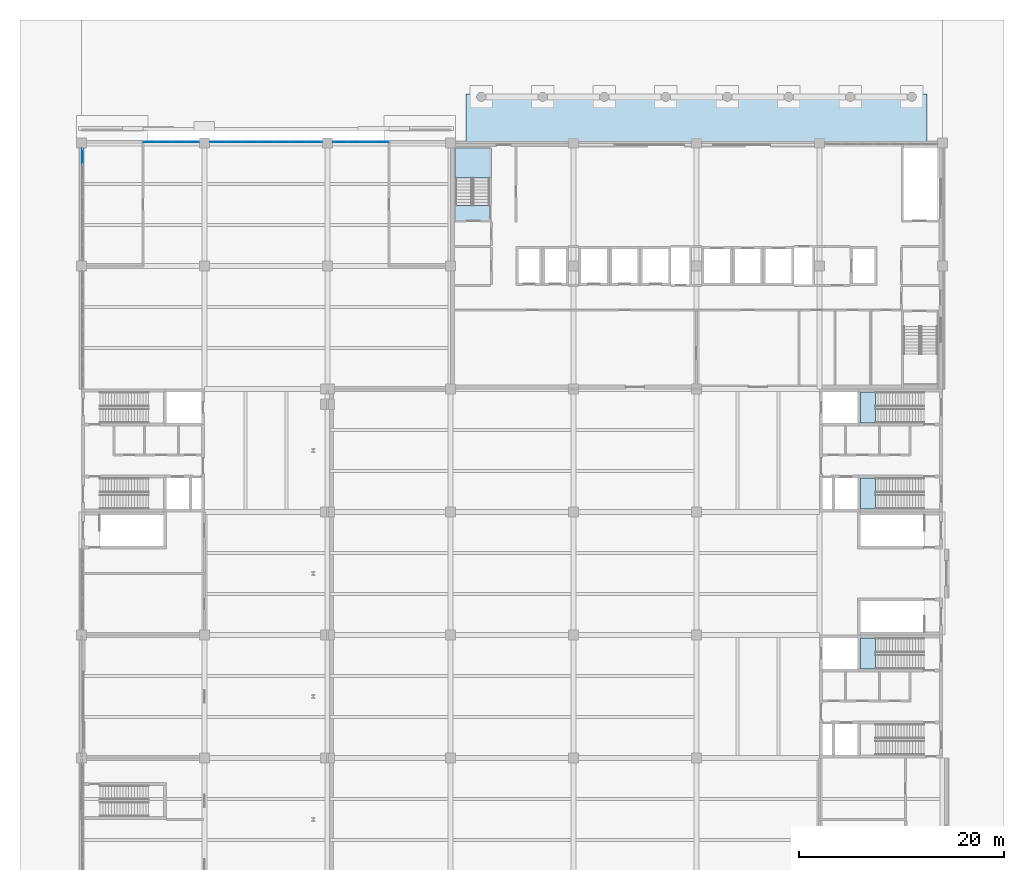
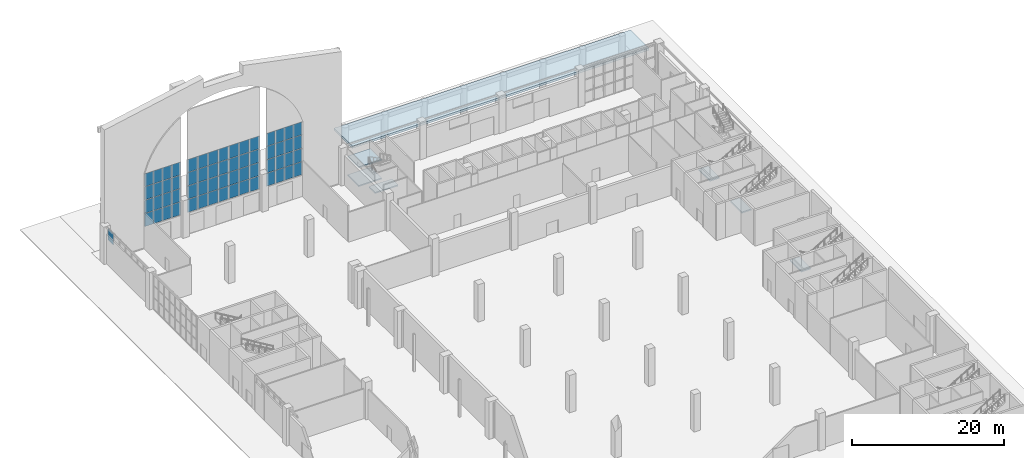
# One storey, part 29 of 59: 61 plates, 7 slabs, 8 elements without a shape of their own.
"""IFC4 building model written with IfcOpenShell, lengths in metres."""

from ifc_helpers import new_model, si_unit, direction, frame, origin, origin_2d, place, context, subcontext, project, spatial, polyline, rectangle, outline, extrude, material, layer, layer_set, type_object, element, aggregate, save


model = new_model("IFC4")

# Units and contexts
model_context = context("Model", 3, precision=1e-05, world=origin(), true_north=direction((0.0, 1.0)))
body_context = subcontext(model_context, "Body", "Model", "MODEL_VIEW")
ifc_project = project(units=[si_unit("LENGTHUNIT", "METRE"), si_unit("AREAUNIT", "SQUARE_METRE"), si_unit("VOLUMEUNIT", "CUBIC_METRE"), si_unit("PLANEANGLEUNIT", "RADIAN"), si_unit("MASSUNIT", "GRAM", prefix="KILO")], contexts=[model_context])

# Site, building, storey
site_placement = place(None, origin())
site = spatial("IfcSite", under=ifc_project, at=site_placement, CompositionType="ELEMENT")
building_placement = place(site_placement, origin())
building = spatial("IfcBuilding", under=site, at=building_placement, Name="Lilac Gate Convention Centre", CompositionType="ELEMENT")
storey_placement = place(building_placement, origin())
storey = spatial("IfcBuildingStorey", under=building, at=storey_placement, Name="L00", CompositionType="ELEMENT", Elevation=0.0)

# Slab
ifc_material_1 = material(Name="Concrete C40", Category="concrete")
ifc_layer_1 = layer(ifc_material_1, 0.35009765625)
ifc_layer_set_1 = layer_set([ifc_layer_1], Name="Concrete C40")
slab_type_1 = type_object("IfcSlabType", Name="Canopy slab 350", PredefinedType="ROOF", material=ifc_layer_set_1)
slab_1_placement = place(storey_placement, frame((0.0, 0.0, 5.050048828125)))
element("IfcSlab", 1, at=slab_1_placement, inside=storey, type_object=slab_type_1, Name="Entrance canopy", PredefinedType="ROOF", context=body_context, shape_type="SweptSolid", body=[
    extrude(outline(polyline([(43.5, 246.0), (88.5, 246.0), (88.5, 250.800048828125), (43.5, 250.800048828125), (43.5, 246.0)])), origin(), (0.0, 0.0, 1.0), 0.349853515625),
])

# Curtain wall, plate
ifc_material_2 = material(Name="Aluminium framed double glazing", Category="aluminium")
ifc_layer_2 = layer(ifc_material_2, 0.199951171875)
ifc_layer_set_2 = layer_set([ifc_layer_2], Name="Aluminium framed double glazing")
curtain_wall_type = type_object("IfcCurtainWallType", Name="Unitised curtain wall 1500", PredefinedType="NOTDEFINED", material=ifc_layer_set_2)
curtain_wall_1_placement = place(storey_placement, origin())
curtain_wall_1 = element("IfcCurtainWall", 2, at=curtain_wall_1_placement, inside=storey, type_object=curtain_wall_type, Name="Curtain wall GW L00 1", PredefinedType="NOTDEFINED")
ifc_material_3 = material(Name="Double glazed unit low emissivity")
ifc_layer_3 = layer(ifc_material_3, 0.028076171875)
ifc_layer_set_3 = layer_set([ifc_layer_3], Name="Double glazed unit low emissivity")
plate_type = type_object("IfcPlateType", Name="Curtain wall glass panel 28", PredefinedType="CURTAIN_PANEL", material=ifc_layer_set_3)
plate_1_placement = place(storey_placement, frame((6.10009765625, 244.69921875, 3.86328125), z_axis=(0.0, 0.0, 1.0), x_axis=(0.0, -1.0, 0.0)))
plate_1 = element("IfcPlate", 3, at=plate_1_placement, type_object=plate_type, Name="CW panel 1.3", PredefinedType="CURTAIN_PANEL", context=body_context, shape_type="SweptSolid", body=[
    extrude(rectangle(XDim=1.4814453125, YDim=0.028076171875, at=origin_2d()), origin(), (0.0, 0.0, 1.0), 1.82666015625),
])
aggregate(curtain_wall_1, [plate_1])

# Curtain wall, plates
curtain_wall_2_placement = place(storey_placement, origin())
curtain_wall_2 = element("IfcCurtainWall", 4, at=curtain_wall_2_placement, inside=storey, type_object=curtain_wall_type, Name="Entrance screen curtain wall 1", PredefinedType="NOTDEFINED")
plate_2_placement = place(storey_placement, frame((12.702392578125, 246.10009765625, 3.4599609375), z_axis=(0.0, 0.0, 1.0), x_axis=(1.0, 0.0, 0.0)))
plate_2 = element("IfcPlate", 5, at=plate_2_placement, type_object=plate_type, Name="CW panel 1.1", PredefinedType="CURTAIN_PANEL", context=body_context, shape_type="SweptSolid", body=[
    extrude(rectangle(XDim=1.284912109375, YDim=0.028076171875, at=origin_2d()), origin(), (0.0, 0.0, 1.0), 2.06005859375),
])
plate_3_placement = place(storey_placement, frame((12.702392578125, 246.10009765625, 5.580078125), z_axis=(0.0, 0.0, 1.0), x_axis=(1.0, 0.0, 0.0)))
plate_3 = element("IfcPlate", 6, at=plate_3_placement, type_object=plate_type, Name="CW panel 1.2", PredefinedType="CURTAIN_PANEL", context=body_context, shape_type="SweptSolid", body=[
    extrude(rectangle(XDim=1.284912109375, YDim=0.028076171875, at=origin_2d()), origin(), (0.0, 0.0, 1.0), 2.090087890625),
])
plate_4_placement = place(storey_placement, frame((12.702392578125, 246.10009765625, 7.72998046875), z_axis=(0.0, 0.0, 1.0), x_axis=(1.0, 0.0, 0.0)))
plate_4 = element("IfcPlate", 7, at=plate_4_placement, type_object=plate_type, Name="CW panel 1.3", PredefinedType="CURTAIN_PANEL", context=body_context, shape_type="SweptSolid", body=[
    extrude(rectangle(XDim=1.284912109375, YDim=0.028076171875, at=origin_2d()), origin(), (0.0, 0.0, 1.0), 2.090087890625),
])
plate_5_placement = place(storey_placement, frame((12.702392578125, 246.10009765625, 9.8798828125), z_axis=(0.0, 0.0, 1.0), x_axis=(1.0, 0.0, 0.0)))
plate_5 = element("IfcPlate", 8, at=plate_5_placement, type_object=plate_type, Name="CW panel 1.4", PredefinedType="CURTAIN_PANEL", context=body_context, shape_type="SweptSolid", body=[
    extrude(rectangle(XDim=1.284912109375, YDim=0.028076171875, at=origin_2d()), origin(), (0.0, 0.0, 1.0), 2.06005859375),
])
plate_6_placement = place(storey_placement, frame((14.0625, 246.10009765625, 3.4599609375), z_axis=(0.0, 0.0, 1.0), x_axis=(1.0, 0.0, 0.0)))
plate_6 = element("IfcPlate", 9, at=plate_6_placement, type_object=plate_type, Name="CW panel 2.1", PredefinedType="CURTAIN_PANEL", context=body_context, shape_type="SweptSolid", body=[
    extrude(rectangle(XDim=1.31494140625, YDim=0.028076171875, at=origin_2d()), origin(), (0.0, 0.0, 1.0), 2.06005859375),
])
plate_7_placement = place(storey_placement, frame((14.0625, 246.10009765625, 5.580078125), z_axis=(0.0, 0.0, 1.0), x_axis=(1.0, 0.0, 0.0)))
plate_7 = element("IfcPlate", 10, at=plate_7_placement, type_object=plate_type, Name="CW panel 2.2", PredefinedType="CURTAIN_PANEL", context=body_context, shape_type="SweptSolid", body=[
    extrude(rectangle(XDim=1.31494140625, YDim=0.028076171875, at=origin_2d()), origin(), (0.0, 0.0, 1.0), 2.090087890625),
])
plate_8_placement = place(storey_placement, frame((14.0625, 246.10009765625, 7.72998046875), z_axis=(0.0, 0.0, 1.0), x_axis=(1.0, 0.0, 0.0)))
plate_8 = element("IfcPlate", 11, at=plate_8_placement, type_object=plate_type, Name="CW panel 2.3", PredefinedType="CURTAIN_PANEL", context=body_context, shape_type="SweptSolid", body=[
    extrude(rectangle(XDim=1.31494140625, YDim=0.028076171875, at=origin_2d()), origin(), (0.0, 0.0, 1.0), 2.090087890625),
])
plate_9_placement = place(storey_placement, frame((14.0625, 246.10009765625, 9.8798828125), z_axis=(0.0, 0.0, 1.0), x_axis=(1.0, 0.0, 0.0)))
plate_9 = element("IfcPlate", 12, at=plate_9_placement, type_object=plate_type, Name="CW panel 2.4", PredefinedType="CURTAIN_PANEL", context=body_context, shape_type="SweptSolid", body=[
    extrude(rectangle(XDim=1.31494140625, YDim=0.028076171875, at=origin_2d()), origin(), (0.0, 0.0, 1.0), 2.06005859375),
])
plate_10_placement = place(storey_placement, frame((15.4375, 246.10009765625, 3.4599609375), z_axis=(0.0, 0.0, 1.0), x_axis=(1.0, 0.0, 0.0)))
plate_10 = element("IfcPlate", 13, at=plate_10_placement, type_object=plate_type, Name="CW panel 3.1", PredefinedType="CURTAIN_PANEL", context=body_context, shape_type="SweptSolid", body=[
    extrude(rectangle(XDim=1.31494140625, YDim=0.028076171875, at=origin_2d()), origin(), (0.0, 0.0, 1.0), 2.06005859375),
])
plate_11_placement = place(storey_placement, frame((15.4375, 246.10009765625, 5.580078125), z_axis=(0.0, 0.0, 1.0), x_axis=(1.0, 0.0, 0.0)))
plate_11 = element("IfcPlate", 14, at=plate_11_placement, type_object=plate_type, Name="CW panel 3.2", PredefinedType="CURTAIN_PANEL", context=body_context, shape_type="SweptSolid", body=[
    extrude(rectangle(XDim=1.31494140625, YDim=0.028076171875, at=origin_2d()), origin(), (0.0, 0.0, 1.0), 2.090087890625),
])
plate_12_placement = place(storey_placement, frame((15.4375, 246.10009765625, 7.72998046875), z_axis=(0.0, 0.0, 1.0), x_axis=(1.0, 0.0, 0.0)))
plate_12 = element("IfcPlate", 15, at=plate_12_placement, type_object=plate_type, Name="CW panel 3.3", PredefinedType="CURTAIN_PANEL", context=body_context, shape_type="SweptSolid", body=[
    extrude(rectangle(XDim=1.31494140625, YDim=0.028076171875, at=origin_2d()), origin(), (0.0, 0.0, 1.0), 2.090087890625),
])
plate_13_placement = place(storey_placement, frame((15.4375, 246.10009765625, 9.8798828125), z_axis=(0.0, 0.0, 1.0), x_axis=(1.0, 0.0, 0.0)))
plate_13 = element("IfcPlate", 16, at=plate_13_placement, type_object=plate_type, Name="CW panel 3.4", PredefinedType="CURTAIN_PANEL", context=body_context, shape_type="SweptSolid", body=[
    extrude(rectangle(XDim=1.31494140625, YDim=0.028076171875, at=origin_2d()), origin(), (0.0, 0.0, 1.0), 2.06005859375),
])
plate_14_placement = place(storey_placement, frame((16.797607421875, 246.10009765625, 3.4599609375), z_axis=(0.0, 0.0, 1.0), x_axis=(1.0, 0.0, 0.0)))
plate_14 = element("IfcPlate", 17, at=plate_14_placement, type_object=plate_type, Name="CW panel 4.1", PredefinedType="CURTAIN_PANEL", context=body_context, shape_type="SweptSolid", body=[
    extrude(rectangle(XDim=1.284912109375, YDim=0.028076171875, at=origin_2d()), origin(), (0.0, 0.0, 1.0), 2.06005859375),
])
plate_15_placement = place(storey_placement, frame((16.797607421875, 246.10009765625, 5.580078125), z_axis=(0.0, 0.0, 1.0), x_axis=(1.0, 0.0, 0.0)))
plate_15 = element("IfcPlate", 18, at=plate_15_placement, type_object=plate_type, Name="CW panel 4.2", PredefinedType="CURTAIN_PANEL", context=body_context, shape_type="SweptSolid", body=[
    extrude(rectangle(XDim=1.284912109375, YDim=0.028076171875, at=origin_2d()), origin(), (0.0, 0.0, 1.0), 2.090087890625),
])
plate_16_placement = place(storey_placement, frame((16.797607421875, 246.10009765625, 7.72998046875), z_axis=(0.0, 0.0, 1.0), x_axis=(1.0, 0.0, 0.0)))
plate_16 = element("IfcPlate", 19, at=plate_16_placement, type_object=plate_type, Name="CW panel 4.3", PredefinedType="CURTAIN_PANEL", context=body_context, shape_type="SweptSolid", body=[
    extrude(rectangle(XDim=1.284912109375, YDim=0.028076171875, at=origin_2d()), origin(), (0.0, 0.0, 1.0), 2.090087890625),
])
plate_17_placement = place(storey_placement, frame((16.797607421875, 246.10009765625, 9.8798828125), z_axis=(0.0, 0.0, 1.0), x_axis=(1.0, 0.0, 0.0)))
plate_17 = element("IfcPlate", 20, at=plate_17_placement, type_object=plate_type, Name="CW panel 4.4", PredefinedType="CURTAIN_PANEL", context=body_context, shape_type="SweptSolid", body=[
    extrude(rectangle(XDim=1.284912109375, YDim=0.028076171875, at=origin_2d()), origin(), (0.0, 0.0, 1.0), 2.06005859375),
])
aggregate(curtain_wall_2, [plate_2, plate_3, plate_4, plate_5, plate_6, plate_7, plate_8, plate_9, plate_10, plate_11, plate_12, plate_13, plate_14, plate_15, plate_16, plate_17])

curtain_wall_3_placement = place(storey_placement, origin())
curtain_wall_3 = element("IfcCurtainWall", 21, at=curtain_wall_3_placement, inside=storey, type_object=curtain_wall_type, Name="Entrance screen curtain wall 2", PredefinedType="NOTDEFINED")
plate_18_placement = place(storey_placement, frame((19.30078125, 246.10009765625, 3.4599609375), z_axis=(0.0, 0.0, 1.0), x_axis=(1.0, 0.0, 0.0)))
plate_18 = element("IfcPlate", 22, at=plate_18_placement, type_object=plate_type, Name="CW panel 1.1", PredefinedType="CURTAIN_PANEL", context=body_context, shape_type="SweptSolid", body=[
    extrude(rectangle(XDim=1.4814453125, YDim=0.028076171875, at=origin_2d()), origin(), (0.0, 0.0, 1.0), 2.06005859375),
])
plate_19_placement = place(storey_placement, frame((19.30078125, 246.10009765625, 5.580078125), z_axis=(0.0, 0.0, 1.0), x_axis=(1.0, 0.0, 0.0)))
plate_19 = element("IfcPlate", 23, at=plate_19_placement, type_object=plate_type, Name="CW panel 1.2", PredefinedType="CURTAIN_PANEL", context=body_context, shape_type="SweptSolid", body=[
    extrude(rectangle(XDim=1.4814453125, YDim=0.028076171875, at=origin_2d()), origin(), (0.0, 0.0, 1.0), 2.090087890625),
])
plate_20_placement = place(storey_placement, frame((19.30078125, 246.10009765625, 7.72998046875), z_axis=(0.0, 0.0, 1.0), x_axis=(1.0, 0.0, 0.0)))
plate_20 = element("IfcPlate", 24, at=plate_20_placement, type_object=plate_type, Name="CW panel 1.3", PredefinedType="CURTAIN_PANEL", context=body_context, shape_type="SweptSolid", body=[
    extrude(rectangle(XDim=1.4814453125, YDim=0.028076171875, at=origin_2d()), origin(), (0.0, 0.0, 1.0), 2.090087890625),
])
plate_21_placement = place(storey_placement, frame((19.30078125, 246.10009765625, 9.8798828125), z_axis=(0.0, 0.0, 1.0), x_axis=(1.0, 0.0, 0.0)))
plate_21 = element("IfcPlate", 25, at=plate_21_placement, type_object=plate_type, Name="CW panel 1.4", PredefinedType="CURTAIN_PANEL", context=body_context, shape_type="SweptSolid", body=[
    extrude(rectangle(XDim=1.4814453125, YDim=0.028076171875, at=origin_2d()), origin(), (0.0, 0.0, 1.0), 2.06005859375),
])
plate_22_placement = place(storey_placement, frame((20.857177734375, 246.10009765625, 3.4599609375), z_axis=(0.0, 0.0, 1.0), x_axis=(1.0, 0.0, 0.0)))
plate_22 = element("IfcPlate", 26, at=plate_22_placement, type_object=plate_type, Name="CW panel 2.1", PredefinedType="CURTAIN_PANEL", context=body_context, shape_type="SweptSolid", body=[
    extrude(rectangle(XDim=1.511474609375, YDim=0.028076171875, at=origin_2d()), origin(), (0.0, 0.0, 1.0), 2.06005859375),
])
plate_23_placement = place(storey_placement, frame((20.857177734375, 246.10009765625, 5.580078125), z_axis=(0.0, 0.0, 1.0), x_axis=(1.0, 0.0, 0.0)))
plate_23 = element("IfcPlate", 27, at=plate_23_placement, type_object=plate_type, Name="CW panel 2.2", PredefinedType="CURTAIN_PANEL", context=body_context, shape_type="SweptSolid", body=[
    extrude(rectangle(XDim=1.511474609375, YDim=0.028076171875, at=origin_2d()), origin(), (0.0, 0.0, 1.0), 2.090087890625),
])
plate_24_placement = place(storey_placement, frame((20.857177734375, 246.10009765625, 7.72998046875), z_axis=(0.0, 0.0, 1.0), x_axis=(1.0, 0.0, 0.0)))
plate_24 = element("IfcPlate", 28, at=plate_24_placement, type_object=plate_type, Name="CW panel 2.3", PredefinedType="CURTAIN_PANEL", context=body_context, shape_type="SweptSolid", body=[
    extrude(rectangle(XDim=1.511474609375, YDim=0.028076171875, at=origin_2d()), origin(), (0.0, 0.0, 1.0), 2.090087890625),
])
plate_25_placement = place(storey_placement, frame((20.857177734375, 246.10009765625, 9.8798828125), z_axis=(0.0, 0.0, 1.0), x_axis=(1.0, 0.0, 0.0)))
plate_25 = element("IfcPlate", 29, at=plate_25_placement, type_object=plate_type, Name="CW panel 2.4", PredefinedType="CURTAIN_PANEL", context=body_context, shape_type="SweptSolid", body=[
    extrude(rectangle(XDim=1.511474609375, YDim=0.028076171875, at=origin_2d()), origin(), (0.0, 0.0, 1.0), 2.06005859375),
])
plate_26_placement = place(storey_placement, frame((22.428466796875, 246.10009765625, 3.4599609375), z_axis=(0.0, 0.0, 1.0), x_axis=(1.0, 0.0, 0.0)))
plate_26 = element("IfcPlate", 30, at=plate_26_placement, type_object=plate_type, Name="CW panel 3.1", PredefinedType="CURTAIN_PANEL", context=body_context, shape_type="SweptSolid", body=[
    extrude(rectangle(XDim=1.511474609375, YDim=0.028076171875, at=origin_2d()), origin(), (0.0, 0.0, 1.0), 2.06005859375),
])
plate_27_placement = place(storey_placement, frame((22.428466796875, 246.10009765625, 5.580078125), z_axis=(0.0, 0.0, 1.0), x_axis=(1.0, 0.0, 0.0)))
plate_27 = element("IfcPlate", 31, at=plate_27_placement, type_object=plate_type, Name="CW panel 3.2", PredefinedType="CURTAIN_PANEL", context=body_context, shape_type="SweptSolid", body=[
    extrude(rectangle(XDim=1.511474609375, YDim=0.028076171875, at=origin_2d()), origin(), (0.0, 0.0, 1.0), 2.090087890625),
])
plate_28_placement = place(storey_placement, frame((22.428466796875, 246.10009765625, 7.72998046875), z_axis=(0.0, 0.0, 1.0), x_axis=(1.0, 0.0, 0.0)))
plate_28 = element("IfcPlate", 32, at=plate_28_placement, type_object=plate_type, Name="CW panel 3.3", PredefinedType="CURTAIN_PANEL", context=body_context, shape_type="SweptSolid", body=[
    extrude(rectangle(XDim=1.511474609375, YDim=0.028076171875, at=origin_2d()), origin(), (0.0, 0.0, 1.0), 2.090087890625),
])
plate_29_placement = place(storey_placement, frame((22.428466796875, 246.10009765625, 9.8798828125), z_axis=(0.0, 0.0, 1.0), x_axis=(1.0, 0.0, 0.0)))
plate_29 = element("IfcPlate", 33, at=plate_29_placement, type_object=plate_type, Name="CW panel 3.4", PredefinedType="CURTAIN_PANEL", context=body_context, shape_type="SweptSolid", body=[
    extrude(rectangle(XDim=1.511474609375, YDim=0.028076171875, at=origin_2d()), origin(), (0.0, 0.0, 1.0), 2.06005859375),
])
plate_30_placement = place(storey_placement, frame((24.0, 246.10009765625, 3.4599609375), z_axis=(0.0, 0.0, 1.0), x_axis=(1.0, 0.0, 0.0)))
plate_30 = element("IfcPlate", 34, at=plate_30_placement, type_object=plate_type, Name="CW panel 4.1", PredefinedType="CURTAIN_PANEL", context=body_context, shape_type="SweptSolid", body=[
    extrude(rectangle(XDim=1.511474609375, YDim=0.028076171875, at=origin_2d()), origin(), (0.0, 0.0, 1.0), 2.06005859375),
])
plate_31_placement = place(storey_placement, frame((24.0, 246.10009765625, 5.580078125), z_axis=(0.0, 0.0, 1.0), x_axis=(1.0, 0.0, 0.0)))
plate_31 = element("IfcPlate", 35, at=plate_31_placement, type_object=plate_type, Name="CW panel 4.2", PredefinedType="CURTAIN_PANEL", context=body_context, shape_type="SweptSolid", body=[
    extrude(rectangle(XDim=1.511474609375, YDim=0.028076171875, at=origin_2d()), origin(), (0.0, 0.0, 1.0), 2.090087890625),
])
plate_32_placement = place(storey_placement, frame((24.0, 246.10009765625, 7.72998046875), z_axis=(0.0, 0.0, 1.0), x_axis=(1.0, 0.0, 0.0)))
plate_32 = element("IfcPlate", 36, at=plate_32_placement, type_object=plate_type, Name="CW panel 4.3", PredefinedType="CURTAIN_PANEL", context=body_context, shape_type="SweptSolid", body=[
    extrude(rectangle(XDim=1.511474609375, YDim=0.028076171875, at=origin_2d()), origin(), (0.0, 0.0, 1.0), 2.090087890625),
])
plate_33_placement = place(storey_placement, frame((24.0, 246.10009765625, 9.8798828125), z_axis=(0.0, 0.0, 1.0), x_axis=(1.0, 0.0, 0.0)))
plate_33 = element("IfcPlate", 37, at=plate_33_placement, type_object=plate_type, Name="CW panel 4.4", PredefinedType="CURTAIN_PANEL", context=body_context, shape_type="SweptSolid", body=[
    extrude(rectangle(XDim=1.511474609375, YDim=0.028076171875, at=origin_2d()), origin(), (0.0, 0.0, 1.0), 2.06005859375),
])
plate_34_placement = place(storey_placement, frame((25.571533203125, 246.10009765625, 3.4599609375), z_axis=(0.0, 0.0, 1.0), x_axis=(1.0, 0.0, 0.0)))
plate_34 = element("IfcPlate", 38, at=plate_34_placement, type_object=plate_type, Name="CW panel 5.1", PredefinedType="CURTAIN_PANEL", context=body_context, shape_type="SweptSolid", body=[
    extrude(rectangle(XDim=1.511474609375, YDim=0.028076171875, at=origin_2d()), origin(), (0.0, 0.0, 1.0), 2.06005859375),
])
plate_35_placement = place(storey_placement, frame((25.571533203125, 246.10009765625, 5.580078125), z_axis=(0.0, 0.0, 1.0), x_axis=(1.0, 0.0, 0.0)))
plate_35 = element("IfcPlate", 39, at=plate_35_placement, type_object=plate_type, Name="CW panel 5.2", PredefinedType="CURTAIN_PANEL", context=body_context, shape_type="SweptSolid", body=[
    extrude(rectangle(XDim=1.511474609375, YDim=0.028076171875, at=origin_2d()), origin(), (0.0, 0.0, 1.0), 2.090087890625),
])
plate_36_placement = place(storey_placement, frame((25.571533203125, 246.10009765625, 7.72998046875), z_axis=(0.0, 0.0, 1.0), x_axis=(1.0, 0.0, 0.0)))
plate_36 = element("IfcPlate", 40, at=plate_36_placement, type_object=plate_type, Name="CW panel 5.3", PredefinedType="CURTAIN_PANEL", context=body_context, shape_type="SweptSolid", body=[
    extrude(rectangle(XDim=1.511474609375, YDim=0.028076171875, at=origin_2d()), origin(), (0.0, 0.0, 1.0), 2.090087890625),
])
plate_37_placement = place(storey_placement, frame((25.571533203125, 246.10009765625, 9.8798828125), z_axis=(0.0, 0.0, 1.0), x_axis=(1.0, 0.0, 0.0)))
plate_37 = element("IfcPlate", 41, at=plate_37_placement, type_object=plate_type, Name="CW panel 5.4", PredefinedType="CURTAIN_PANEL", context=body_context, shape_type="SweptSolid", body=[
    extrude(rectangle(XDim=1.511474609375, YDim=0.028076171875, at=origin_2d()), origin(), (0.0, 0.0, 1.0), 2.06005859375),
])
plate_38_placement = place(storey_placement, frame((27.142822265625, 246.10009765625, 3.4599609375), z_axis=(0.0, 0.0, 1.0), x_axis=(1.0, 0.0, 0.0)))
plate_38 = element("IfcPlate", 42, at=plate_38_placement, type_object=plate_type, Name="CW panel 6.1", PredefinedType="CURTAIN_PANEL", context=body_context, shape_type="SweptSolid", body=[
    extrude(rectangle(XDim=1.511474609375, YDim=0.028076171875, at=origin_2d()), origin(), (0.0, 0.0, 1.0), 2.06005859375),
])
plate_39_placement = place(storey_placement, frame((27.142822265625, 246.10009765625, 5.580078125), z_axis=(0.0, 0.0, 1.0), x_axis=(1.0, 0.0, 0.0)))
plate_39 = element("IfcPlate", 43, at=plate_39_placement, type_object=plate_type, Name="CW panel 6.2", PredefinedType="CURTAIN_PANEL", context=body_context, shape_type="SweptSolid", body=[
    extrude(rectangle(XDim=1.511474609375, YDim=0.028076171875, at=origin_2d()), origin(), (0.0, 0.0, 1.0), 2.090087890625),
])
plate_40_placement = place(storey_placement, frame((27.142822265625, 246.10009765625, 7.72998046875), z_axis=(0.0, 0.0, 1.0), x_axis=(1.0, 0.0, 0.0)))
plate_40 = element("IfcPlate", 44, at=plate_40_placement, type_object=plate_type, Name="CW panel 6.3", PredefinedType="CURTAIN_PANEL", context=body_context, shape_type="SweptSolid", body=[
    extrude(rectangle(XDim=1.511474609375, YDim=0.028076171875, at=origin_2d()), origin(), (0.0, 0.0, 1.0), 2.090087890625),
])
plate_41_placement = place(storey_placement, frame((27.142822265625, 246.10009765625, 9.8798828125), z_axis=(0.0, 0.0, 1.0), x_axis=(1.0, 0.0, 0.0)))
plate_41 = element("IfcPlate", 45, at=plate_41_placement, type_object=plate_type, Name="CW panel 6.4", PredefinedType="CURTAIN_PANEL", context=body_context, shape_type="SweptSolid", body=[
    extrude(rectangle(XDim=1.511474609375, YDim=0.028076171875, at=origin_2d()), origin(), (0.0, 0.0, 1.0), 2.06005859375),
])
plate_42_placement = place(storey_placement, frame((28.69921875, 246.10009765625, 3.4599609375), z_axis=(0.0, 0.0, 1.0), x_axis=(1.0, 0.0, 0.0)))
plate_42 = element("IfcPlate", 46, at=plate_42_placement, type_object=plate_type, Name="CW panel 7.1", PredefinedType="CURTAIN_PANEL", context=body_context, shape_type="SweptSolid", body=[
    extrude(rectangle(XDim=1.4814453125, YDim=0.028076171875, at=origin_2d()), origin(), (0.0, 0.0, 1.0), 2.06005859375),
])
plate_43_placement = place(storey_placement, frame((28.69921875, 246.10009765625, 5.580078125), z_axis=(0.0, 0.0, 1.0), x_axis=(1.0, 0.0, 0.0)))
plate_43 = element("IfcPlate", 47, at=plate_43_placement, type_object=plate_type, Name="CW panel 7.2", PredefinedType="CURTAIN_PANEL", context=body_context, shape_type="SweptSolid", body=[
    extrude(rectangle(XDim=1.4814453125, YDim=0.028076171875, at=origin_2d()), origin(), (0.0, 0.0, 1.0), 2.090087890625),
])
plate_44_placement = place(storey_placement, frame((28.69921875, 246.10009765625, 7.72998046875), z_axis=(0.0, 0.0, 1.0), x_axis=(1.0, 0.0, 0.0)))
plate_44 = element("IfcPlate", 48, at=plate_44_placement, type_object=plate_type, Name="CW panel 7.3", PredefinedType="CURTAIN_PANEL", context=body_context, shape_type="SweptSolid", body=[
    extrude(rectangle(XDim=1.4814453125, YDim=0.028076171875, at=origin_2d()), origin(), (0.0, 0.0, 1.0), 2.090087890625),
])
plate_45_placement = place(storey_placement, frame((28.69921875, 246.10009765625, 9.8798828125), z_axis=(0.0, 0.0, 1.0), x_axis=(1.0, 0.0, 0.0)))
plate_45 = element("IfcPlate", 49, at=plate_45_placement, type_object=plate_type, Name="CW panel 7.4", PredefinedType="CURTAIN_PANEL", context=body_context, shape_type="SweptSolid", body=[
    extrude(rectangle(XDim=1.4814453125, YDim=0.028076171875, at=origin_2d()), origin(), (0.0, 0.0, 1.0), 2.06005859375),
])
aggregate(curtain_wall_3, [plate_18, plate_19, plate_20, plate_21, plate_22, plate_23, plate_24, plate_25, plate_26, plate_27, plate_28, plate_29, plate_30, plate_31, plate_32, plate_33, plate_34, plate_35, plate_36, plate_37, plate_38, plate_39, plate_40, plate_41, plate_42, plate_43, plate_44, plate_45])

curtain_wall_4_placement = place(storey_placement, origin())
curtain_wall_4 = element("IfcCurtainWall", 50, at=curtain_wall_4_placement, inside=storey, type_object=curtain_wall_type, Name="Entrance screen curtain wall 3", PredefinedType="NOTDEFINED")
plate_46_placement = place(storey_placement, frame((31.202392578125, 246.10009765625, 3.4599609375), z_axis=(0.0, 0.0, 1.0), x_axis=(1.0, 0.0, 0.0)))
plate_46 = element("IfcPlate", 51, at=plate_46_placement, type_object=plate_type, Name="CW panel 1.1", PredefinedType="CURTAIN_PANEL", context=body_context, shape_type="SweptSolid", body=[
    extrude(rectangle(XDim=1.284912109375, YDim=0.028076171875, at=origin_2d()), origin(), (0.0, 0.0, 1.0), 2.06005859375),
])
plate_47_placement = place(storey_placement, frame((31.202392578125, 246.10009765625, 5.580078125), z_axis=(0.0, 0.0, 1.0), x_axis=(1.0, 0.0, 0.0)))
plate_47 = element("IfcPlate", 52, at=plate_47_placement, type_object=plate_type, Name="CW panel 1.2", PredefinedType="CURTAIN_PANEL", context=body_context, shape_type="SweptSolid", body=[
    extrude(rectangle(XDim=1.284912109375, YDim=0.028076171875, at=origin_2d()), origin(), (0.0, 0.0, 1.0), 2.090087890625),
])
plate_48_placement = place(storey_placement, frame((31.202392578125, 246.10009765625, 7.72998046875), z_axis=(0.0, 0.0, 1.0), x_axis=(1.0, 0.0, 0.0)))
plate_48 = element("IfcPlate", 53, at=plate_48_placement, type_object=plate_type, Name="CW panel 1.3", PredefinedType="CURTAIN_PANEL", context=body_context, shape_type="SweptSolid", body=[
    extrude(rectangle(XDim=1.284912109375, YDim=0.028076171875, at=origin_2d()), origin(), (0.0, 0.0, 1.0), 2.090087890625),
])
plate_49_placement = place(storey_placement, frame((31.202392578125, 246.10009765625, 9.8798828125), z_axis=(0.0, 0.0, 1.0), x_axis=(1.0, 0.0, 0.0)))
plate_49 = element("IfcPlate", 54, at=plate_49_placement, type_object=plate_type, Name="CW panel 1.4", PredefinedType="CURTAIN_PANEL", context=body_context, shape_type="SweptSolid", body=[
    extrude(rectangle(XDim=1.284912109375, YDim=0.028076171875, at=origin_2d()), origin(), (0.0, 0.0, 1.0), 2.06005859375),
])
plate_50_placement = place(storey_placement, frame((32.5625, 246.10009765625, 3.4599609375), z_axis=(0.0, 0.0, 1.0), x_axis=(1.0, 0.0, 0.0)))
plate_50 = element("IfcPlate", 55, at=plate_50_placement, type_object=plate_type, Name="CW panel 2.1", PredefinedType="CURTAIN_PANEL", context=body_context, shape_type="SweptSolid", body=[
    extrude(rectangle(XDim=1.31494140625, YDim=0.028076171875, at=origin_2d()), origin(), (0.0, 0.0, 1.0), 2.06005859375),
])
plate_51_placement = place(storey_placement, frame((32.5625, 246.10009765625, 5.580078125), z_axis=(0.0, 0.0, 1.0), x_axis=(1.0, 0.0, 0.0)))
plate_51 = element("IfcPlate", 56, at=plate_51_placement, type_object=plate_type, Name="CW panel 2.2", PredefinedType="CURTAIN_PANEL", context=body_context, shape_type="SweptSolid", body=[
    extrude(rectangle(XDim=1.31494140625, YDim=0.028076171875, at=origin_2d()), origin(), (0.0, 0.0, 1.0), 2.090087890625),
])
plate_52_placement = place(storey_placement, frame((32.5625, 246.10009765625, 7.72998046875), z_axis=(0.0, 0.0, 1.0), x_axis=(1.0, 0.0, 0.0)))
plate_52 = element("IfcPlate", 57, at=plate_52_placement, type_object=plate_type, Name="CW panel 2.3", PredefinedType="CURTAIN_PANEL", context=body_context, shape_type="SweptSolid", body=[
    extrude(rectangle(XDim=1.31494140625, YDim=0.028076171875, at=origin_2d()), origin(), (0.0, 0.0, 1.0), 2.090087890625),
])
plate_53_placement = place(storey_placement, frame((32.5625, 246.10009765625, 9.8798828125), z_axis=(0.0, 0.0, 1.0), x_axis=(1.0, 0.0, 0.0)))
plate_53 = element("IfcPlate", 58, at=plate_53_placement, type_object=plate_type, Name="CW panel 2.4", PredefinedType="CURTAIN_PANEL", context=body_context, shape_type="SweptSolid", body=[
    extrude(rectangle(XDim=1.31494140625, YDim=0.028076171875, at=origin_2d()), origin(), (0.0, 0.0, 1.0), 2.06005859375),
])
plate_54_placement = place(storey_placement, frame((33.9375, 246.10009765625, 3.4599609375), z_axis=(0.0, 0.0, 1.0), x_axis=(1.0, 0.0, 0.0)))
plate_54 = element("IfcPlate", 59, at=plate_54_placement, type_object=plate_type, Name="CW panel 3.1", PredefinedType="CURTAIN_PANEL", context=body_context, shape_type="SweptSolid", body=[
    extrude(rectangle(XDim=1.31494140625, YDim=0.028076171875, at=origin_2d()), origin(), (0.0, 0.0, 1.0), 2.06005859375),
])
plate_55_placement = place(storey_placement, frame((33.9375, 246.10009765625, 5.580078125), z_axis=(0.0, 0.0, 1.0), x_axis=(1.0, 0.0, 0.0)))
plate_55 = element("IfcPlate", 60, at=plate_55_placement, type_object=plate_type, Name="CW panel 3.2", PredefinedType="CURTAIN_PANEL", context=body_context, shape_type="SweptSolid", body=[
    extrude(rectangle(XDim=1.31494140625, YDim=0.028076171875, at=origin_2d()), origin(), (0.0, 0.0, 1.0), 2.090087890625),
])
plate_56_placement = place(storey_placement, frame((33.9375, 246.10009765625, 7.72998046875), z_axis=(0.0, 0.0, 1.0), x_axis=(1.0, 0.0, 0.0)))
plate_56 = element("IfcPlate", 61, at=plate_56_placement, type_object=plate_type, Name="CW panel 3.3", PredefinedType="CURTAIN_PANEL", context=body_context, shape_type="SweptSolid", body=[
    extrude(rectangle(XDim=1.31494140625, YDim=0.028076171875, at=origin_2d()), origin(), (0.0, 0.0, 1.0), 2.090087890625),
])
plate_57_placement = place(storey_placement, frame((33.9375, 246.10009765625, 9.8798828125), z_axis=(0.0, 0.0, 1.0), x_axis=(1.0, 0.0, 0.0)))
plate_57 = element("IfcPlate", 62, at=plate_57_placement, type_object=plate_type, Name="CW panel 3.4", PredefinedType="CURTAIN_PANEL", context=body_context, shape_type="SweptSolid", body=[
    extrude(rectangle(XDim=1.31494140625, YDim=0.028076171875, at=origin_2d()), origin(), (0.0, 0.0, 1.0), 2.06005859375),
])
plate_58_placement = place(storey_placement, frame((35.297607421875, 246.10009765625, 3.4599609375), z_axis=(0.0, 0.0, 1.0), x_axis=(1.0, 0.0, 0.0)))
plate_58 = element("IfcPlate", 63, at=plate_58_placement, type_object=plate_type, Name="CW panel 4.1", PredefinedType="CURTAIN_PANEL", context=body_context, shape_type="SweptSolid", body=[
    extrude(rectangle(XDim=1.284912109375, YDim=0.028076171875, at=origin_2d()), origin(), (0.0, 0.0, 1.0), 2.06005859375),
])
plate_59_placement = place(storey_placement, frame((35.297607421875, 246.10009765625, 5.580078125), z_axis=(0.0, 0.0, 1.0), x_axis=(1.0, 0.0, 0.0)))
plate_59 = element("IfcPlate", 64, at=plate_59_placement, type_object=plate_type, Name="CW panel 4.2", PredefinedType="CURTAIN_PANEL", context=body_context, shape_type="SweptSolid", body=[
    extrude(rectangle(XDim=1.284912109375, YDim=0.028076171875, at=origin_2d()), origin(), (0.0, 0.0, 1.0), 2.090087890625),
])
plate_60_placement = place(storey_placement, frame((35.297607421875, 246.10009765625, 7.72998046875), z_axis=(0.0, 0.0, 1.0), x_axis=(1.0, 0.0, 0.0)))
plate_60 = element("IfcPlate", 65, at=plate_60_placement, type_object=plate_type, Name="CW panel 4.3", PredefinedType="CURTAIN_PANEL", context=body_context, shape_type="SweptSolid", body=[
    extrude(rectangle(XDim=1.284912109375, YDim=0.028076171875, at=origin_2d()), origin(), (0.0, 0.0, 1.0), 2.090087890625),
])
plate_61_placement = place(storey_placement, frame((35.297607421875, 246.10009765625, 9.8798828125), z_axis=(0.0, 0.0, 1.0), x_axis=(1.0, 0.0, 0.0)))
plate_61 = element("IfcPlate", 66, at=plate_61_placement, type_object=plate_type, Name="CW panel 4.4", PredefinedType="CURTAIN_PANEL", context=body_context, shape_type="SweptSolid", body=[
    extrude(rectangle(XDim=1.284912109375, YDim=0.028076171875, at=origin_2d()), origin(), (0.0, 0.0, 1.0), 2.06005859375),
])
aggregate(curtain_wall_4, [plate_46, plate_47, plate_48, plate_49, plate_50, plate_51, plate_52, plate_53, plate_54, plate_55, plate_56, plate_57, plate_58, plate_59, plate_60, plate_61])

# Stair, slabs
stair_type_1 = type_object("IfcStairType", Name="Exit stair", PredefinedType="DOUBLE_RETURN_STAIR", material=ifc_material_1)
stair_1_placement = place(storey_placement, origin())
stair_1 = element("IfcStair", 67, at=stair_1_placement, inside=storey, type_object=stair_type_1, Name="Exit stair NW L00", PredefinedType="DOUBLE_RETURN_STAIR")
ifc_layer_4 = layer(ifc_material_1, 0.199951171875)
ifc_layer_set_4 = layer_set([ifc_layer_4], Name="Concrete C40")
slab_type_2 = type_object("IfcSlabType", Name="Exit stair landing", PredefinedType="LANDING", material=ifc_layer_set_4)
slab_2_placement = place(storey_placement, frame((0.0, 0.0, 1.300048828125)))
slab_2 = element("IfcSlab", 68, at=slab_2_placement, type_object=slab_type_2, Name="ST-NW landing 1", PredefinedType="LANDING", context=body_context, shape_type="SweptSolid", body=[
    extrude(outline(polyline([(42.5, 242.60009765625), (46.0, 242.60009765625), (46.0, 245.5), (42.5, 245.5), (42.5, 242.60009765625)])), origin(), (0.0, 0.0, 1.0), 0.199951171875),
])
slab_3_placement = place(storey_placement, frame((0.0, 0.0, 2.800048828125)))
slab_3 = element("IfcSlab", 69, at=slab_3_placement, type_object=slab_type_2, Name="ST-NW landing 2", PredefinedType="LANDING", context=body_context, shape_type="SweptSolid", body=[
    extrude(outline(polyline([(42.5, 238.300048828125), (46.0, 238.300048828125), (46.0, 239.89990234375), (42.5, 239.89990234375), (42.5, 238.300048828125)])), origin(), (0.0, 0.0, 1.0), 0.199951171875),
])
slab_4_placement = place(storey_placement, frame((0.0, 0.0, 4.300048828125)))
slab_4 = element("IfcSlab", 70, at=slab_4_placement, type_object=slab_type_2, Name="ST-NW landing 3", PredefinedType="LANDING", context=body_context, shape_type="SweptSolid", body=[
    extrude(outline(polyline([(42.5, 242.60009765625), (46.0, 242.60009765625), (46.0, 245.5), (42.5, 245.5), (42.5, 242.60009765625)])), origin(), (0.0, 0.0, 1.0), 0.199951171875),
])
aggregate(stair_1, [slab_2, slab_3, slab_4])

# Stair, slab
stair_type_2 = type_object("IfcStairType", Name="Exit stair two flights", PredefinedType="HALF_TURN_STAIR", material=ifc_material_1)
stair_2_placement = place(storey_placement, origin())
stair_2 = element("IfcStair", 71, at=stair_2_placement, inside=storey, type_object=stair_type_2, Name="Exit stair E3B L00 to L01", PredefinedType="HALF_TURN_STAIR")
ifc_layer_5 = layer(ifc_material_1, 0.199951171875)
ifc_layer_set_5 = layer_set([ifc_layer_5], Name="Concrete C40")
slab_type_3 = type_object("IfcSlabType", Name="Stair landing 200 precast", PredefinedType="LANDING", material=ifc_layer_set_5)
slab_5_placement = place(storey_placement, frame((0.0, 0.0, 2.800048828125)))
slab_5 = element("IfcSlab", 72, at=slab_5_placement, type_object=slab_type_3, Name="ST34 landing 1", PredefinedType="LANDING", context=body_context, shape_type="SweptSolid", body=[
    extrude(outline(polyline([(82.0, 194.699951171875), (83.43994140625, 194.699951171875), (83.43994140625, 197.699951171875), (82.0, 197.699951171875), (82.0, 194.699951171875)])), origin(), (0.0, 0.0, 1.0), 0.199951171875),
])
aggregate(stair_2, [slab_5])

stair_3_placement = place(storey_placement, origin())
stair_3 = element("IfcStair", 73, at=stair_3_placement, inside=storey, type_object=stair_type_2, Name="Exit stair E4A L00 to L01", PredefinedType="HALF_TURN_STAIR")
slab_6_placement = place(storey_placement, frame((0.0, 0.0, 2.800048828125)))
slab_6 = element("IfcSlab", 74, at=slab_6_placement, type_object=slab_type_3, Name="ST35 landing 1", PredefinedType="LANDING", context=body_context, shape_type="SweptSolid", body=[
    extrude(outline(polyline([(82.0, 210.300048828125), (83.43994140625, 210.300048828125), (83.43994140625, 213.300048828125), (82.0, 213.300048828125), (82.0, 210.300048828125)])), origin(), (0.0, 0.0, 1.0), 0.199951171875),
])
aggregate(stair_3, [slab_6])

stair_4_placement = place(storey_placement, origin())
stair_4 = element("IfcStair", 75, at=stair_4_placement, inside=storey, type_object=stair_type_2, Name="Exit stair E4B L00 to L01", PredefinedType="HALF_TURN_STAIR")
slab_7_placement = place(storey_placement, frame((0.0, 0.0, 2.800048828125)))
slab_7 = element("IfcSlab", 76, at=slab_7_placement, type_object=slab_type_3, Name="ST36 landing 1", PredefinedType="LANDING", context=body_context, shape_type="SweptSolid", body=[
    extrude(outline(polyline([(82.0, 218.699951171875), (83.43994140625, 218.699951171875), (83.43994140625, 221.699951171875), (82.0, 221.699951171875), (82.0, 218.699951171875)])), origin(), (0.0, 0.0, 1.0), 0.199951171875),
])
aggregate(stair_4, [slab_7])

save(model, "model.ifc")
